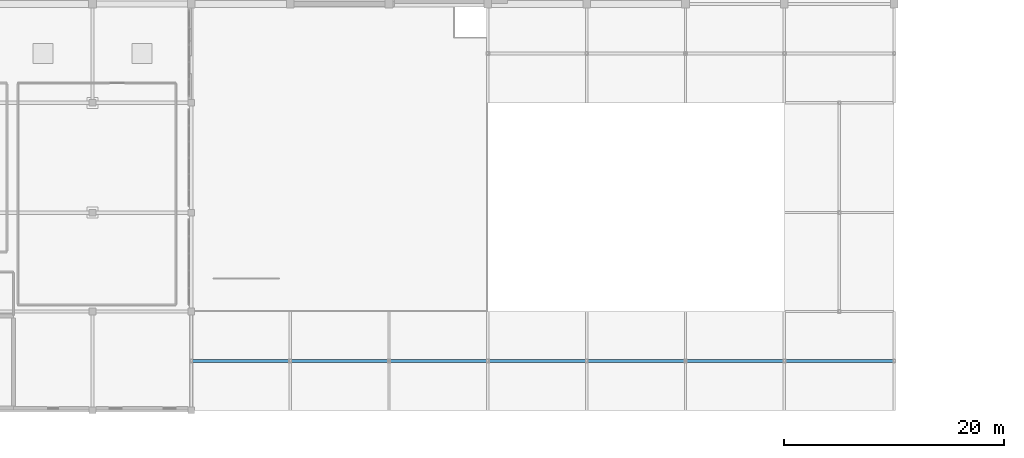
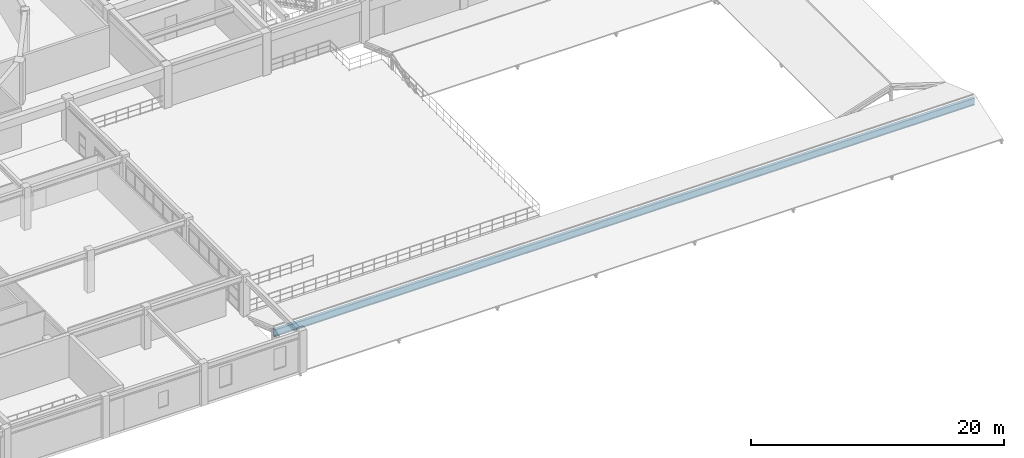
# One storey, part 40 of 110: 1 beam.
"""IFC4 building model written with IfcOpenShell, lengths in metres."""

from ifc_helpers import new_model, si_unit, direction, frame, origin, origin_2d, place, context, subcontext, project, spatial, i_section, extrude, material, material_profile, profile_set, type_object, element, save


model = new_model("IFC4")

# Units and contexts
model_context = context("Model", 3, precision=1e-05, world=origin(), true_north=direction((0.0, 1.0)))
body_context = subcontext(model_context, "Body", "Model", "MODEL_VIEW")
ifc_project = project(units=[si_unit("LENGTHUNIT", "METRE"), si_unit("AREAUNIT", "SQUARE_METRE"), si_unit("VOLUMEUNIT", "CUBIC_METRE"), si_unit("PLANEANGLEUNIT", "RADIAN"), si_unit("MASSUNIT", "GRAM", prefix="KILO")], contexts=[model_context])

# Site, building, storey
site_placement = place(None, origin())
site = spatial("IfcSite", under=ifc_project, at=site_placement, CompositionType="ELEMENT")
building_placement = place(site_placement, origin())
building = spatial("IfcBuilding", under=site, at=building_placement, Name="Miravela Opera House", CompositionType="ELEMENT")
storey_placement = place(building_placement, frame((0.0, 0.0, 13.60009765625)))
storey = spatial("IfcBuildingStorey", under=building, at=storey_placement, Name="L03", CompositionType="ELEMENT", Elevation=13.60009765625)

# Beam
ifc_material = material(Name="Structural steel ASTM A992 Gr. 50", Category="steel")
ifc_material_profile = material_profile(ifc_material, i_section(OverallWidth=0.256103515625, OverallDepth=0.693115234375, WebThickness=0.014404296875, FlangeThickness=0.023681640625, FilletRadius=0.01806640625, at=origin_2d()), Name="W690X170")
ifc_profile_set = profile_set([ifc_material_profile])
beam_type = type_object("IfcBeamType", Name="STR-BM-W690X170", PredefinedType="BEAM", material=ifc_profile_set)
beam_placement = place(storey_placement, frame((90.0, 4.5, 0.933349609375), z_axis=(1.0, 0.0, 0.0), x_axis=(0.0, 1.0, 0.0)))
element("IfcBeam", 1, at=beam_placement, inside=storey, type_object=beam_type, Name="Clay Tile Roof Ridge Beam ROOF-V4-SE", PredefinedType="BEAM", context=body_context, shape_type="SweptSolid", body=[
    extrude(i_section(OverallWidth=0.256103515625, OverallDepth=0.693115234375, WebThickness=0.014404296875, FlangeThickness=0.023681640625, FilletRadius=0.01806640625, at=origin_2d()), origin(), (0.0, 0.0, 1.0), 64.0),
])

save(model, "model.ifc")
